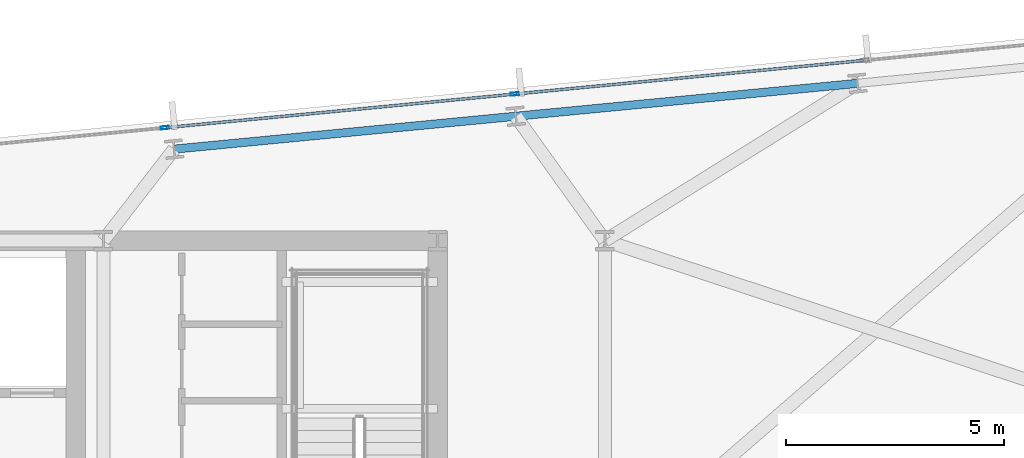
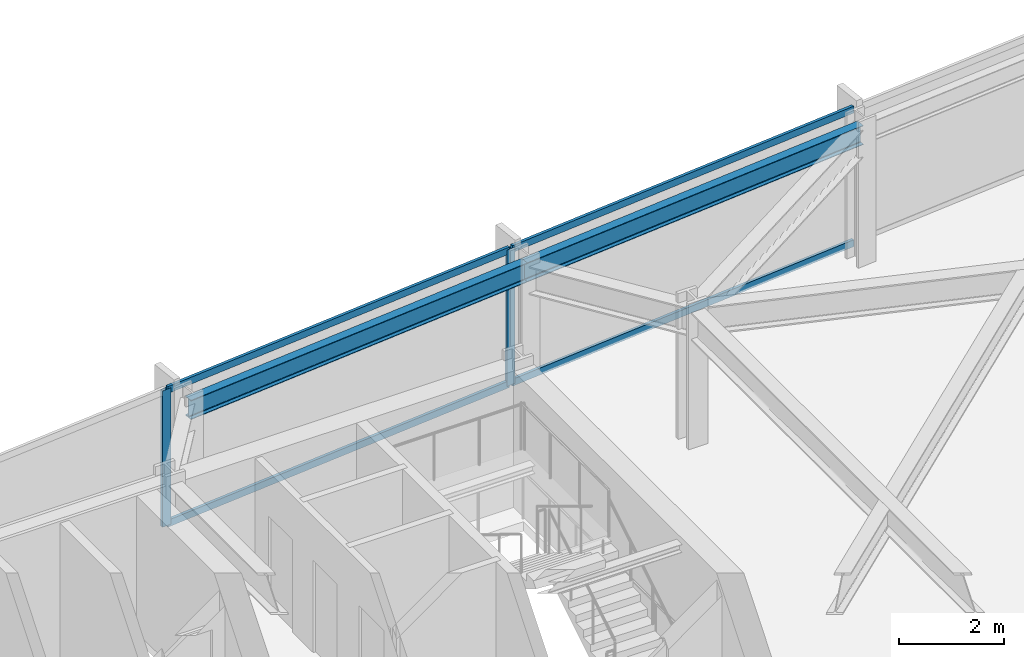
# One storey, part 21 of 32: 6 members, 2 beams, 1 element without a shape of its own.
"""IFC4 building model written with IfcOpenShell, lengths in metres."""

from ifc_helpers import new_model, si_unit, direction, frame, origin, origin_2d, place, context, subcontext, project, spatial, hollow_rectangle, i_section, extrude, material, material_profile, profile_set, type_object, element, aggregate, save


model = new_model("IFC4")

# Units and contexts
model_context = context("Model", 3, precision=1e-05, world=origin(), true_north=direction((0.0, 1.0)))
body_context = subcontext(model_context, "Body", "Model", "MODEL_VIEW")
ifc_project = project(units=[si_unit("LENGTHUNIT", "METRE"), si_unit("AREAUNIT", "SQUARE_METRE"), si_unit("VOLUMEUNIT", "CUBIC_METRE"), si_unit("PLANEANGLEUNIT", "RADIAN"), si_unit("MASSUNIT", "GRAM", prefix="KILO")], contexts=[model_context])

# Site, building, storey
site_placement = place(None, origin())
site = spatial("IfcSite", under=ifc_project, at=site_placement, CompositionType="ELEMENT")
building_placement = place(site_placement, origin())
building = spatial("IfcBuilding", under=site, at=building_placement, Name="Yelkora Congress Tower", CompositionType="ELEMENT")
storey_placement = place(building_placement, frame((0.0, 0.0, 96.5)))
storey = spatial("IfcBuildingStorey", under=building, at=storey_placement, Name="L25", CompositionType="ELEMENT", Elevation=96.5)

# Beams
ifc_material_1 = material(Name="Steel S355J2", Category="steel")
ifc_material_profile_1 = material_profile(ifc_material_1, i_section(OverallWidth=0.18994140625, OverallDepth=0.449951171875, WebThickness=0.009521484375, FlangeThickness=0.0146484375, FilletRadius=0.02099609375, at=origin_2d()), Name="IPE 450")
ifc_profile_set_1 = profile_set([ifc_material_profile_1], Name="Steel S355J2")
beam_type = type_object("IfcBeamType", Name="BM-SPAN-IPE450", PredefinedType="SPANDREL", material=ifc_profile_set_1)
for number, where, z_axis, x_axis, name in (
    (1, (63.4033203125, 49.81201171875, 2.955078125), (-0.995398529126, -0.09582154358, 0.0), (0.09582154358, -0.995398529126, 0.0), "L25 Perimeter Beam 15"),
    (2, (55.553955078125, 49.056396484375, 2.955078125), (-0.995395575667, -0.095852219286, 0.0), (0.095852219286, -0.995395575667, 0.0), "L25 Perimeter Beam 16"),
):
    element("IfcBeam", number, at=place(storey_placement, frame(where, z_axis=z_axis, x_axis=x_axis)), inside=storey, type_object=beam_type, Name=name, PredefinedType="SPANDREL", context=body_context, shape_type="SweptSolid", body=[
        extrude(i_section(OverallWidth=0.18994140625, OverallDepth=0.449951171875, WebThickness=0.009521484375, FlangeThickness=0.0146484375, FilletRadius=0.02099609375, at=origin_2d()), origin(), (0.0, 0.0, 1.0), 7.8857421875),
    ])

# Curtain wall, members
ifc_material_2 = material(Name="Anodised aluminium and insulated glass", Category="aluminium")
curtain_wall_type = type_object("IfcCurtainWallType", Name="CW-SYS-B2", PredefinedType="NOTDEFINED", material=ifc_material_2)
curtain_wall_placement = place(storey_placement, origin())
curtain_wall = element("IfcCurtainWall", 3, at=curtain_wall_placement, inside=storey, type_object=curtain_wall_type, Name="L25 Unitised Curtain Wall 10 (3)", PredefinedType="NOTDEFINED")
ifc_material_3 = material(Name="Anodised aluminium 6063-T6", Category="aluminium")
ifc_material_profile_2 = material_profile(ifc_material_3, hollow_rectangle(XDim=0.070068359375, YDim=0.18994140625, WallThickness=0.00390625, at=origin_2d()), Name="ALU 70x190x4")
ifc_profile_set_2 = profile_set([ifc_material_profile_2], Name="Anodised aluminium 6063-T6")
member_type_1 = type_object("IfcMemberType", Name="MEM-ML-B2", PredefinedType="MULLION", material=ifc_profile_set_2)
member_1_placement = place(storey_placement, frame((47.491943359375, 48.79248046875, 0.0), z_axis=(0.0, 0.0, 1.0), x_axis=(-0.095844238468, 0.995396344153, 0.0)))
member_1 = element("IfcMember", 4, at=member_1_placement, type_object=member_type_1, Name="CW-B2 mullion 4", PredefinedType="MULLION", context=body_context, shape_type="SweptSolid", body=[
    extrude(hollow_rectangle(XDim=0.070068359375, YDim=0.18994140625, WallThickness=0.00390625, at=origin_2d()), origin(), (0.0, 0.0, 1.0), 3.179931640625),
])
member_2_placement = place(storey_placement, frame((55.531982421875, 49.566650390625, 0.0), z_axis=(0.0, 0.0, 1.0), x_axis=(-0.095844238468, 0.995396344153, 0.0)))
member_2 = element("IfcMember", 5, at=member_2_placement, type_object=member_type_1, Name="CW-B2 mullion 5", PredefinedType="MULLION", context=body_context, shape_type="SweptSolid", body=[
    extrude(hollow_rectangle(XDim=0.070068359375, YDim=0.18994140625, WallThickness=0.00390625, at=origin_2d()), origin(), (0.0, 0.0, 1.0), 3.179931640625),
])
ifc_material_profile_3 = material_profile(ifc_material_3, hollow_rectangle(XDim=0.06494140625, YDim=0.159912109375, WallThickness=0.00390625, at=origin_2d()), Name="ALU 65x160x4")
ifc_profile_set_3 = profile_set([ifc_material_profile_3], Name="Anodised aluminium 6063-T6")
member_type_2 = type_object("IfcMemberType", Name="MEM-TR-B2", PredefinedType="USERDEFINED", material=ifc_profile_set_3)
member_3_placement = place(storey_placement, frame((47.52685546875, 48.7958984375, 0.032470703125), z_axis=(0.995397513894, 0.095832089266, 0.0), x_axis=(-0.095832089266, 0.995397513894, 0.0)))
member_3 = element("IfcMember", 6, at=member_3_placement, type_object=member_type_2, Name="CW-B2 transom 4.1", ObjectType="TRANSOM", PredefinedType="USERDEFINED", context=body_context, shape_type="SweptSolid", body=[
    extrude(hollow_rectangle(XDim=0.06494140625, YDim=0.159912109375, WallThickness=0.00390625, at=origin_2d()), origin(), (0.0, 0.0, 1.0), 8.007080078125),
])
member_4_placement = place(storey_placement, frame((47.52685546875, 48.7958984375, 3.1474609375), z_axis=(0.995397513894, 0.095832089266, 0.0), x_axis=(-0.095832089266, 0.995397513894, 0.0)))
member_4 = element("IfcMember", 7, at=member_4_placement, type_object=member_type_2, Name="CW-B2 transom 4.2", ObjectType="TRANSOM", PredefinedType="USERDEFINED", context=body_context, shape_type="SweptSolid", body=[
    extrude(hollow_rectangle(XDim=0.06494140625, YDim=0.159912109375, WallThickness=0.00390625, at=origin_2d()), origin(), (0.0, 0.0, 1.0), 8.007080078125),
])
member_5_placement = place(storey_placement, frame((55.566650390625, 49.570068359375, 0.032470703125), z_axis=(0.995397793901, 0.09582918082, 0.0), x_axis=(-0.09582918082, 0.995397793901, 0.0)))
member_5 = element("IfcMember", 8, at=member_5_placement, type_object=member_type_2, Name="CW-B2 transom 5.1", ObjectType="TRANSOM", PredefinedType="USERDEFINED", context=body_context, shape_type="SweptSolid", body=[
    extrude(hollow_rectangle(XDim=0.06494140625, YDim=0.159912109375, WallThickness=0.00390625, at=origin_2d()), origin(), (0.0, 0.0, 1.0), 8.00732421875),
])
member_6_placement = place(storey_placement, frame((55.566650390625, 49.570068359375, 3.1474609375), z_axis=(0.995397793901, 0.09582918082, 0.0), x_axis=(-0.09582918082, 0.995397793901, 0.0)))
member_6 = element("IfcMember", 9, at=member_6_placement, type_object=member_type_2, Name="CW-B2 transom 5.2", ObjectType="TRANSOM", PredefinedType="USERDEFINED", context=body_context, shape_type="SweptSolid", body=[
    extrude(hollow_rectangle(XDim=0.06494140625, YDim=0.159912109375, WallThickness=0.00390625, at=origin_2d()), origin(), (0.0, 0.0, 1.0), 8.00732421875),
])
aggregate(curtain_wall, [member_1, member_2, member_3, member_4, member_5, member_6])

save(model, "model.ifc")
